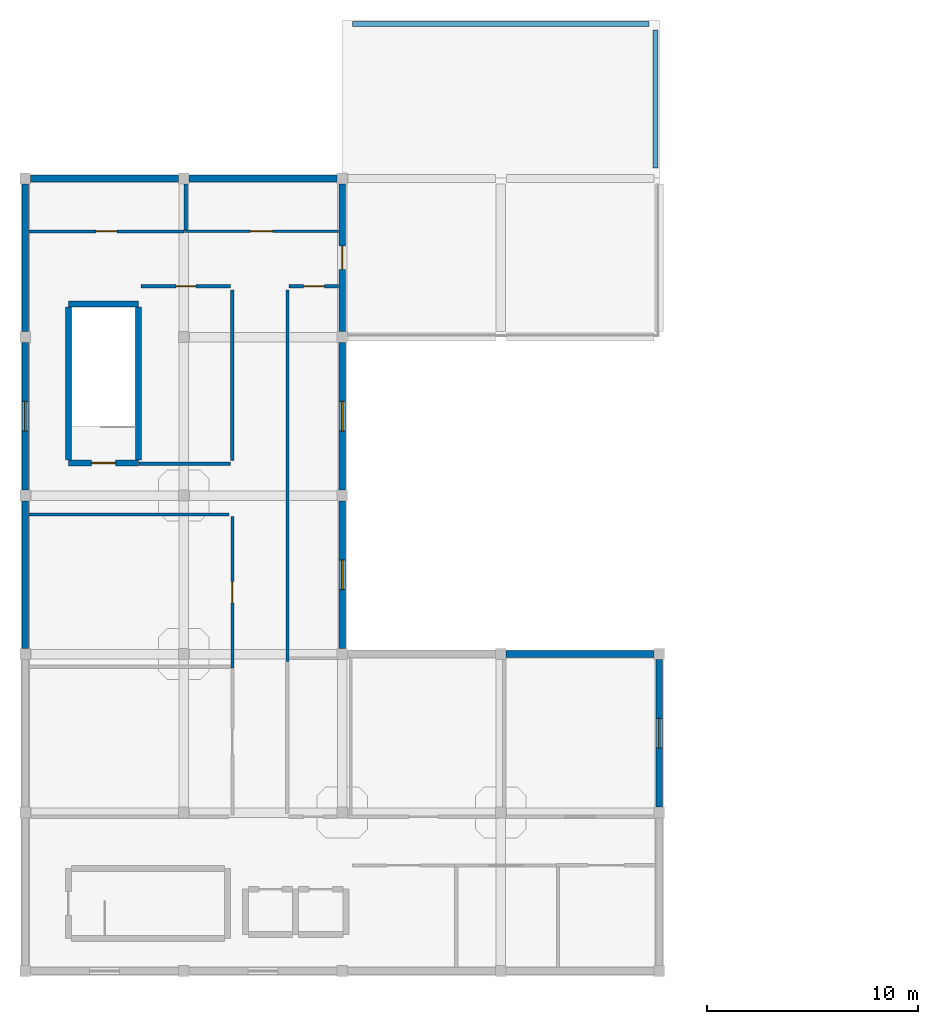
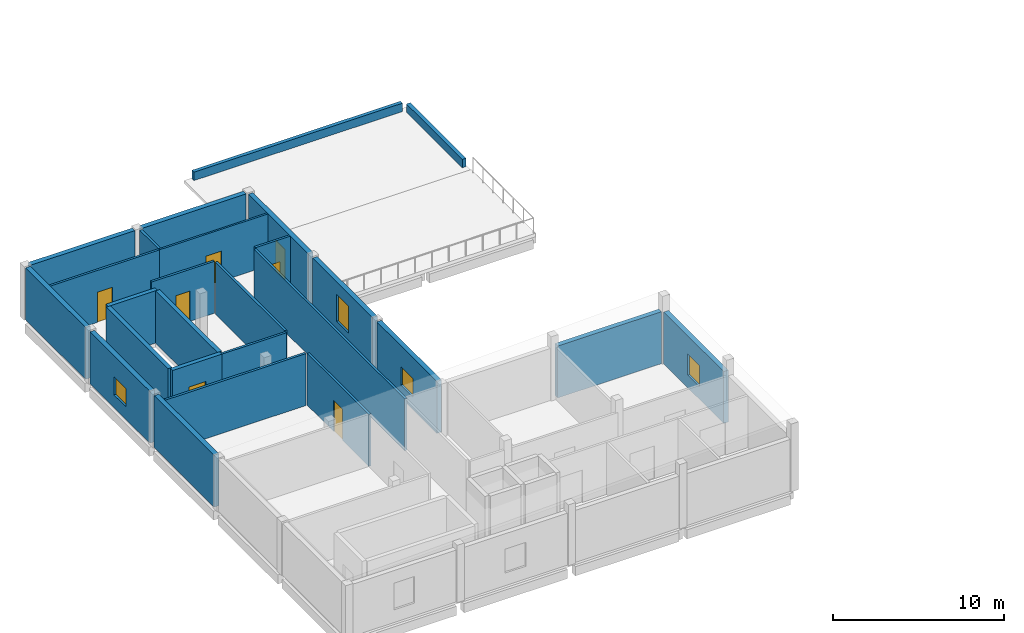
# One storey, part 4 of 8: 26 walls, 7 doors, 4 windows, 11 openings.
"""IFC4 building model written with IfcOpenShell, lengths in metres."""

from ifc_helpers import new_model, si_unit, direction, frame, frame_2d, origin, place, context, subcontext, project, spatial, rectangle, extrude, material, layer, layer_set, type_object, element, fill, save


model = new_model("IFC4")

# Units and contexts
model_context = context("Model", 3, precision=1e-05, world=origin(), true_north=direction((0.0, 1.0)))
body_context = subcontext(model_context, "Body", "Model", "MODEL_VIEW")
ifc_project = project(units=[si_unit("LENGTHUNIT", "METRE"), si_unit("AREAUNIT", "SQUARE_METRE"), si_unit("VOLUMEUNIT", "CUBIC_METRE"), si_unit("PLANEANGLEUNIT", "RADIAN"), si_unit("MASSUNIT", "GRAM", prefix="KILO")], contexts=[model_context])

# Site, building, storey
site_placement = place(None, origin())
site = spatial("IfcSite", under=ifc_project, at=site_placement, CompositionType="ELEMENT")
building_placement = place(site_placement, origin())
building = spatial("IfcBuilding", under=site, at=building_placement, Name="Mawjan Specialist Oncology Clinic", CompositionType="ELEMENT")
storey_placement = place(building_placement, frame((0.0, 0.0, 21.5)))
storey = spatial("IfcBuildingStorey", under=building, at=storey_placement, Name="L05", CompositionType="ELEMENT", Elevation=21.5)

# Wall, opening, door
ifc_material_1 = material(Name="Precast concrete C40/50", Category="concrete")
ifc_layer_1 = layer(ifc_material_1, 0.320068359375, Name="Precast concrete C40/50", Category="concrete")
ifc_layer_set_1 = layer_set([ifc_layer_1], Name="Precast concrete C40/50")
wall_type_1 = type_object("IfcWallType", Name="EW-320", PredefinedType="SOLIDWALL", material=ifc_layer_set_1)
wall_1_placement = place(storey_placement, frame((15.0, 38.050048828125, 0.0), z_axis=(0.0, 0.0, 1.0), x_axis=(0.0, -1.0, 0.0)))
wall_1 = element("IfcWall", 1, at=wall_1_placement, inside=storey, type_object=wall_type_1, Name="L05 Coral-Limestone Exterior Wall EW-L05-376", PredefinedType="SOLIDWALL", context=body_context, shape_type="SweptSolid", body=[
    extrude(rectangle(XDim=7.0, YDim=0.320068359375, at=frame_2d((3.5, 0.0))), origin(), (0.0, 0.0, 1.0), 3.699951171875),
])
opening_1_placement = place(wall_1_placement, frame((2.949951171875, 0.0, 0.0)))
opening_1 = element("IfcOpeningElement", 2, at=opening_1_placement, cuts=wall_1, Name="Opening DT-110", PredefinedType="OPENING", context=body_context, shape_type="SweptSolid", body=[
    extrude(rectangle(XDim=1.10009765625, YDim=2.14990234375, at=frame_2d((0.550048828125, 1.074951171875))), frame((0.0, 0.172119140625, 0.0), z_axis=(0.0, -1.0, 0.0), x_axis=(1.0, 0.0, 0.0)), (0.0, 0.0, 1.0), 0.343994140625),
])
ifc_material_2 = material(Name="Insulated marine-grade aluminium entrance assembly", Category="aluminium")
door_type_1 = type_object("IfcDoorType", Name="DT-110", OperationType="NOTDEFINED", PredefinedType="DOOR", material=ifc_material_2)
door_1_placement = place(opening_1_placement, origin())
door_1 = element("IfcDoor", 3, at=door_1_placement, inside=storey, type_object=door_type_1, Name="L05 Healing Terrace Access Door 7", OperationType="SINGLE_SWING_RIGHT", OverallHeight=2.14990234375, OverallWidth=1.10009765625, PredefinedType="DOOR", context=body_context, shape_type="SweptSolid", body=[
    extrude(rectangle(XDim=1.10009765625, YDim=2.14990234375, at=frame_2d((0.550048828125, 1.074951171875))), frame((0.0, 0.02490234375, 0.0), z_axis=(0.0, -1.0, 0.0), x_axis=(1.0, 0.0, 0.0)), (0.0, 0.0, 1.0), 0.050048828125),
])
fill(opening_1, door_1)

# Wall, opening, window
wall_2_placement = place(storey_placement, frame((15.0, 30.550048828125, 0.0), z_axis=(0.0, 0.0, 1.0), x_axis=(0.0, -1.0, 0.0)))
wall_2 = element("IfcWall", 4, at=wall_2_placement, inside=storey, type_object=wall_type_1, Name="L05 Coral-Limestone Exterior Wall EW-L05-377", PredefinedType="SOLIDWALL", context=body_context, shape_type="SweptSolid", body=[
    extrude(rectangle(XDim=7.0, YDim=0.320068359375, at=frame_2d((3.5, 0.0))), origin(), (0.0, 0.0, 1.0), 3.699951171875),
])
opening_2_placement = place(wall_2_placement, frame((2.800048828125, 0.0, 0.89990234375)))
opening_2 = element("IfcOpeningElement", 5, at=opening_2_placement, cuts=wall_2, Name="Opening WN-16", PredefinedType="OPENING", context=body_context, shape_type="SweptSolid", body=[
    extrude(rectangle(XDim=1.39990234375, YDim=1.89990234375, at=frame_2d((0.699951171875, 0.949951171875))), frame((0.0, 0.172119140625, 0.0), z_axis=(0.0, -1.0, 0.0), x_axis=(1.0, 0.0, 0.0)), (0.0, 0.0, 1.0), 0.343994140625),
])
ifc_material_3 = material(Name="Thermally broken low-E clinical aluminium window", Category="aluminium")
window_type_1 = type_object("IfcWindowType", Name="WN-16", PartitioningType="SINGLE_PANEL", PredefinedType="WINDOW", material=ifc_material_3)
window_1_placement = place(opening_2_placement, origin())
window_1 = element("IfcWindow", 6, at=window_1_placement, inside=storey, type_object=window_type_1, Name="L05 Clinical Low-E Window 080", OverallHeight=1.89990234375, OverallWidth=1.39990234375, PartitioningType="SINGLE_PANEL", PredefinedType="WINDOW", context=body_context, shape_type="SweptSolid", body=[
    extrude(rectangle(XDim=1.39990234375, YDim=1.89990234375, at=frame_2d((0.699951171875, 0.949951171875))), frame((0.0, 0.030029296875, 0.0), z_axis=(0.0, -1.0, 0.0), x_axis=(1.0, 0.0, 0.0)), (0.0, 0.0, 1.0), 0.06005859375),
])
fill(opening_2, window_1)

wall_3_placement = place(storey_placement, frame((15.0, 23.050048828125, 0.0), z_axis=(0.0, 0.0, 1.0), x_axis=(0.0, -1.0, 0.0)))
wall_3 = element("IfcWall", 7, at=wall_3_placement, inside=storey, type_object=wall_type_1, Name="L05 Coral-Limestone Exterior Wall EW-L05-378", PredefinedType="SOLIDWALL", context=body_context, shape_type="SweptSolid", body=[
    extrude(rectangle(XDim=7.0, YDim=0.320068359375, at=frame_2d((3.5, 0.0))), origin(), (0.0, 0.0, 1.0), 3.699951171875),
])
opening_3_placement = place(wall_3_placement, frame((2.800048828125, 0.0, 0.89990234375)))
opening_3 = element("IfcOpeningElement", 8, at=opening_3_placement, cuts=wall_3, Name="Opening WN-13", PredefinedType="OPENING", context=body_context, shape_type="SweptSolid", body=[
    extrude(rectangle(XDim=1.39990234375, YDim=1.300048828125, at=frame_2d((0.699951171875, 0.64990234375))), frame((0.0, 0.172119140625, 0.0), z_axis=(0.0, -1.0, 0.0), x_axis=(1.0, 0.0, 0.0)), (0.0, 0.0, 1.0), 0.343994140625),
])
ifc_material_4 = material(Name="Thermally broken low-E clinical aluminium window", Category="aluminium")
window_type_2 = type_object("IfcWindowType", Name="WN-13", PartitioningType="SINGLE_PANEL", PredefinedType="WINDOW", material=ifc_material_4)
window_2_placement = place(opening_3_placement, origin())
window_2 = element("IfcWindow", 9, at=window_2_placement, inside=storey, type_object=window_type_2, Name="L05 Clinical Low-E Window 081", OverallHeight=1.300048828125, OverallWidth=1.39990234375, PartitioningType="SINGLE_PANEL", PredefinedType="WINDOW", context=body_context, shape_type="SweptSolid", body=[
    extrude(rectangle(XDim=1.39990234375, YDim=1.300048828125, at=frame_2d((0.699951171875, 0.64990234375))), frame((0.0, 0.030029296875, 0.0), z_axis=(0.0, -1.0, 0.0), x_axis=(1.0, 0.0, 0.0)), (0.0, 0.0, 1.0), 0.06005859375),
])
fill(opening_3, window_2)

# Wall
wall_4_placement = place(storey_placement, frame((22.75, 15.800048828125, 0.0), z_axis=(0.0, 0.0, 1.0), x_axis=(1.0, 0.0, 0.0)))
element("IfcWall", 10, at=wall_4_placement, inside=storey, type_object=wall_type_1, Name="L05 Coral-Limestone Exterior Wall EW-L05-380", PredefinedType="SOLIDWALL", context=body_context, shape_type="SweptSolid", body=[
    extrude(rectangle(XDim=7.0, YDim=0.320068359375, at=frame_2d((3.5, 0.0))), origin(), (0.0, 0.0, 1.0), 3.699951171875),
])

# Wall, opening, window
wall_5_placement = place(storey_placement, frame((30.0, 15.550048828125, 0.0), z_axis=(0.0, 0.0, 1.0), x_axis=(0.0, -1.0, 0.0)))
wall_5 = element("IfcWall", 11, at=wall_5_placement, inside=storey, type_object=wall_type_1, Name="L05 Coral-Limestone Exterior Wall EW-L05-381", PredefinedType="SOLIDWALL", context=body_context, shape_type="SweptSolid", body=[
    extrude(rectangle(XDim=7.0, YDim=0.320068359375, at=frame_2d((3.5, 0.0))), origin(), (0.0, 0.0, 1.0), 3.699951171875),
])
opening_4_placement = place(wall_5_placement, frame((2.800048828125, 0.0, 0.89990234375)))
opening_4 = element("IfcOpeningElement", 12, at=opening_4_placement, cuts=wall_5, Name="Opening WN-14", PredefinedType="OPENING", context=body_context, shape_type="SweptSolid", body=[
    extrude(rectangle(XDim=1.39990234375, YDim=1.5, at=frame_2d((0.699951171875, 0.75))), frame((0.0, 0.172119140625, 0.0), z_axis=(0.0, -1.0, 0.0), x_axis=(1.0, 0.0, 0.0)), (0.0, 0.0, 1.0), 0.343994140625),
])
ifc_material_5 = material(Name="Thermally broken low-E clinical aluminium window", Category="aluminium")
window_type_3 = type_object("IfcWindowType", Name="WN-14", PartitioningType="SINGLE_PANEL", PredefinedType="WINDOW", material=ifc_material_5)
window_3_placement = place(opening_4_placement, origin())
window_3 = element("IfcWindow", 13, at=window_3_placement, inside=storey, type_object=window_type_3, Name="L05 Clinical Low-E Window 082", OverallHeight=1.5, OverallWidth=1.39990234375, PartitioningType="SINGLE_PANEL", PredefinedType="WINDOW", context=body_context, shape_type="SweptSolid", body=[
    extrude(rectangle(XDim=1.39990234375, YDim=1.5, at=frame_2d((0.699951171875, 0.75))), frame((0.0, 0.030029296875, 0.0), z_axis=(0.0, -1.0, 0.0), x_axis=(1.0, 0.0, 0.0)), (0.0, 0.0, 1.0), 0.06005859375),
])
fill(opening_4, window_3)

# Wall
wall_6_placement = place(storey_placement, frame((0.0, 16.050048828125, 0.0), z_axis=(0.0, 0.0, 1.0), x_axis=(0.0, 1.0, 0.0)))
element("IfcWall", 14, at=wall_6_placement, inside=storey, type_object=wall_type_1, Name="L05 Coral-Limestone Exterior Wall EW-L05-389", PredefinedType="SOLIDWALL", context=body_context, shape_type="SweptSolid", body=[
    extrude(rectangle(XDim=7.0, YDim=0.320068359375, at=frame_2d((3.5, 0.0))), origin(), (0.0, 0.0, 1.0), 3.699951171875),
])

# Wall, opening, window
wall_7_placement = place(storey_placement, frame((0.0, 23.550048828125, 0.0), z_axis=(0.0, 0.0, 1.0), x_axis=(0.0, 1.0, 0.0)))
wall_7 = element("IfcWall", 15, at=wall_7_placement, inside=storey, type_object=wall_type_1, Name="L05 Coral-Limestone Exterior Wall EW-L05-390", PredefinedType="SOLIDWALL", context=body_context, shape_type="SweptSolid", body=[
    extrude(rectangle(XDim=7.0, YDim=0.320068359375, at=frame_2d((3.5, 0.0))), origin(), (0.0, 0.0, 1.0), 3.699951171875),
])
opening_5_placement = place(wall_7_placement, frame((2.800048828125, 0.0, 0.89990234375)))
opening_5 = element("IfcOpeningElement", 16, at=opening_5_placement, cuts=wall_7, Name="Opening WN-13", PredefinedType="OPENING", context=body_context, shape_type="SweptSolid", body=[
    extrude(rectangle(XDim=1.39990234375, YDim=1.300048828125, at=frame_2d((0.699951171875, 0.64990234375))), frame((0.0, 0.172119140625, 0.0), z_axis=(0.0, -1.0, 0.0), x_axis=(1.0, 0.0, 0.0)), (0.0, 0.0, 1.0), 0.343994140625),
])
window_4_placement = place(opening_5_placement, origin())
window_4 = element("IfcWindow", 17, at=window_4_placement, inside=storey, type_object=window_type_2, Name="L05 Clinical Low-E Window 085", OverallHeight=1.300048828125, OverallWidth=1.39990234375, PartitioningType="SINGLE_PANEL", PredefinedType="WINDOW", context=body_context, shape_type="SweptSolid", body=[
    extrude(rectangle(XDim=1.39990234375, YDim=1.300048828125, at=frame_2d((0.699951171875, 0.64990234375))), frame((0.0, 0.030029296875, 0.0), z_axis=(0.0, -1.0, 0.0), x_axis=(1.0, 0.0, 0.0)), (0.0, 0.0, 1.0), 0.06005859375),
])
fill(opening_5, window_4)

# Walls
for number, where, z_axis, x_axis, name in (
    (18, (0.0, 31.050048828125, 0.0), (0.0, 0.0, 1.0), (0.0, 1.0, 0.0), "L05 Coral-Limestone Exterior Wall EW-L05-391"),
    (19, (0.25, 38.300048828125, 0.0), (0.0, 0.0, 1.0), (1.0, 0.0, 0.0), "L05 Coral-Limestone Exterior Wall EW-L05-392"),
    (20, (7.75, 38.300048828125, 0.0), (0.0, 0.0, 1.0), (1.0, 0.0, 0.0), "L05 Coral-Limestone Exterior Wall EW-L05-393"),
):
    element("IfcWall", number, at=place(storey_placement, frame(where, z_axis=z_axis, x_axis=x_axis)), inside=storey, type_object=wall_type_1, Name=name, PredefinedType="SOLIDWALL", context=body_context, shape_type="SweptSolid", body=[
        extrude(rectangle(XDim=7.0, YDim=0.320068359375, at=frame_2d((3.5, 0.0))), origin(), (0.0, 0.0, 1.0), 3.699951171875),
    ])
ifc_material_6 = material(Name="Precast concrete C40/50", Category="concrete")
ifc_layer_2 = layer(ifc_material_6, 0.239990234375, Name="Precast concrete C40/50", Category="concrete")
ifc_layer_set_2 = layer_set([ifc_layer_2], Name="Precast concrete C40/50")
wall_type_2 = type_object("IfcWallType", Name="PAR-240", PredefinedType="PARAPET", material=ifc_layer_set_2)
wall_8_placement = place(storey_placement, frame((15.47998046875, 45.6201171875, -0.080078125), z_axis=(0.0, 0.0, 1.0), x_axis=(1.0, 0.0, 0.0)))
element("IfcWall", 21, at=wall_8_placement, inside=storey, type_object=wall_type_2, Name="L05 Roof Parapet Upstand 28", PredefinedType="PARAPET", context=body_context, shape_type="SweptSolid", body=[
    extrude(rectangle(XDim=14.0400390625, YDim=0.239990234375, at=frame_2d((7.02001953125, 0.0))), origin(), (0.0, 0.0, 1.0), 0.60009765625),
])
ifc_material_7 = material(Name="Precast concrete C40/50", Category="concrete")
ifc_layer_3 = layer(ifc_material_7, 0.260009765625, Name="Precast concrete C40/50", Category="concrete")
ifc_layer_set_3 = layer_set([ifc_layer_3], Name="Precast concrete C40/50")
wall_type_3 = type_object("IfcWallType", Name="PAR-260", PredefinedType="PARAPET", material=ifc_layer_set_3)
wall_9_placement = place(storey_placement, frame((29.820068359375, 45.320068359375, -0.080078125), z_axis=(0.0, 0.0, 1.0), x_axis=(0.0, -1.0, 0.0)))
element("IfcWall", 22, at=wall_9_placement, inside=storey, type_object=wall_type_3, Name="L05 Roof Parapet Upstand 29", PredefinedType="PARAPET", context=body_context, shape_type="SweptSolid", body=[
    extrude(rectangle(XDim=6.52001953125, YDim=0.260009765625, at=frame_2d((3.260009765625, 0.0))), origin(), (0.0, 0.0, 1.0), 0.60009765625),
])
ifc_material_8 = material(Name="Concrete C45/55", Category="concrete")
ifc_layer_4 = layer(ifc_material_8, 0.280029296875, Name="Concrete C45/55", Category="concrete")
ifc_layer_set_4 = layer_set([ifc_layer_4], Name="Concrete C45/55")
wall_type_4 = type_object("IfcWallType", Name="SW-300", PredefinedType="SHEAR", material=ifc_layer_set_4)
wall_10_placement = place(storey_placement, frame((5.360107421875, 24.985107421875, 0.0), z_axis=(0.0, 0.0, 1.0), x_axis=(0.0, 1.0, 0.0)))
element("IfcWall", 23, at=wall_10_placement, inside=storey, type_object=wall_type_4, Name="L05 Core K2 Stair Shear Wall 1", PredefinedType="SHEAR", context=body_context, shape_type="SweptSolid", body=[
    extrude(rectangle(XDim=7.22998046875, YDim=0.280029296875, at=frame_2d((3.614990234375, 0.0))), origin(), (0.0, 0.0, 1.0), 3.719970703125),
])
wall_11_placement = place(storey_placement, frame((5.360107421875, 32.360107421875, 0.0), z_axis=(0.0, 0.0, 1.0), x_axis=(-1.0, 0.0, 0.0)))
element("IfcWall", 24, at=wall_11_placement, inside=storey, type_object=wall_type_4, Name="L05 Core K2 Stair Shear Wall 2", PredefinedType="SHEAR", context=body_context, shape_type="SweptSolid", body=[
    extrude(rectangle(XDim=3.320068359375, YDim=0.280029296875, at=frame_2d((1.66015625, 0.0))), origin(), (0.0, 0.0, 1.0), 3.719970703125),
])
wall_12_placement = place(storey_placement, frame((2.0400390625, 32.215087890625, 0.0), z_axis=(0.0, 0.0, 1.0), x_axis=(0.0, -1.0, 0.0)))
element("IfcWall", 25, at=wall_12_placement, inside=storey, type_object=wall_type_4, Name="L05 Core K2 Stair Shear Wall 3", PredefinedType="SHEAR", context=body_context, shape_type="SweptSolid", body=[
    extrude(rectangle(XDim=7.22998046875, YDim=0.280029296875, at=frame_2d((3.614990234375, 0.0))), origin(), (0.0, 0.0, 1.0), 3.719970703125),
])

# Wall, opening, door
wall_13_placement = place(storey_placement, frame((2.0400390625, 24.840087890625, 0.0), z_axis=(0.0, 0.0, 1.0), x_axis=(1.0, 0.0, 0.0)))
wall_13 = element("IfcWall", 26, at=wall_13_placement, inside=storey, type_object=wall_type_4, Name="L05 Core K2 Stair Shear Wall 4", PredefinedType="SHEAR", context=body_context, shape_type="SweptSolid", body=[
    extrude(rectangle(XDim=3.320068359375, YDim=0.280029296875, at=frame_2d((1.66015625, 0.0))), origin(), (0.0, 0.0, 1.0), 3.719970703125),
])
opening_6_placement = place(wall_13_placement, frame((1.0849609375, 0.0, 0.0)))
opening_6 = element("IfcOpeningElement", 27, at=opening_6_placement, cuts=wall_13, Name="Opening FD-90", PredefinedType="OPENING", context=body_context, shape_type="SweptSolid", body=[
    extrude(rectangle(XDim=1.14990234375, YDim=2.14990234375, at=frame_2d((0.574951171875, 1.074951171875))), frame((0.0, 0.152099609375, 0.0), z_axis=(0.0, -1.0, 0.0), x_axis=(1.0, 0.0, 0.0)), (0.0, 0.0, 1.0), 0.303955078125),
])
ifc_material_9 = material(Name="Stainless-steel fire-rated hospital door", Category="steel")
door_type_2 = type_object("IfcDoorType", Name="FD-90", OperationType="NOTDEFINED", PredefinedType="DOOR", material=ifc_material_9)
door_2_placement = place(opening_6_placement, origin())
door_2 = element("IfcDoor", 28, at=door_2_placement, inside=storey, type_object=door_type_2, Name="L05 ST-02 Fire Exit Stair Door", OperationType="SINGLE_SWING_RIGHT", OverallHeight=2.14990234375, OverallWidth=1.14990234375, PredefinedType="DOOR", context=body_context, shape_type="SweptSolid", body=[
    extrude(rectangle(XDim=1.14990234375, YDim=2.14990234375, at=frame_2d((0.574951171875, 1.074951171875))), frame((0.0, 0.02490234375, 0.0), z_axis=(0.0, -1.0, 0.0), x_axis=(1.0, 0.0, 0.0)), (0.0, 0.0, 1.0), 0.050048828125),
])
fill(opening_6, door_2)

ifc_material_10 = material(Name="Moisture-resistant washroom partition", Category="gypsum")
ifc_layer_5 = layer(ifc_material_10, 0.125, Name="Moisture-resistant washroom partition", Category="gypsum")
ifc_layer_set_5 = layer_set([ifc_layer_5], Name="Moisture-resistant washroom partition")
wall_type_5 = type_object("IfcWallType", Name="WP-125", PredefinedType="PARTITIONING", material=ifc_layer_set_5)
wall_14_placement = place(storey_placement, frame((7.527099609375, 35.800048828125, 0.0), z_axis=(0.0, 0.0, 1.0), x_axis=(1.0, 0.0, 0.0)))
wall_14 = element("IfcWall", 29, at=wall_14_placement, inside=storey, type_object=wall_type_5, Name="L05 Interior Partition W-INT-L05-505-C", PredefinedType="PARTITIONING", context=body_context, shape_type="SweptSolid", body=[
    extrude(rectangle(XDim=7.30078125, YDim=0.125, at=frame_2d((3.650390625, 0.0))), origin(), (0.0, 0.0, 1.0), 3.699951171875),
])
opening_7_placement = place(wall_14_placement, frame((3.12548828125, 0.0, 0.0)))
opening_7 = element("IfcOpeningElement", 30, at=opening_7_placement, cuts=wall_14, Name="Opening DI-105", PredefinedType="OPENING", context=body_context, shape_type="SweptSolid", body=[
    extrude(rectangle(XDim=1.050048828125, YDim=2.14990234375, at=frame_2d((0.52490234375, 1.074951171875))), frame((0.0, 0.074462890625, 0.0), z_axis=(0.0, -1.0, 0.0), x_axis=(1.0, 0.0, 0.0)), (0.0, 0.0, 1.0), 0.14892578125),
])
ifc_material_11 = material(Name="Acoustic laminate hospital door leaf", Category="wood")
door_type_3 = type_object("IfcDoorType", Name="DI-105", OperationType="NOTDEFINED", PredefinedType="DOOR", material=ifc_material_11)
door_3_placement = place(opening_7_placement, origin())
door_3 = element("IfcDoor", 31, at=door_3_placement, inside=storey, type_object=door_type_3, Name="L05 Clean Clinical Supply Room Door", OperationType="SINGLE_SWING_RIGHT", OverallHeight=2.14990234375, OverallWidth=1.050048828125, PredefinedType="DOOR", context=body_context, shape_type="SweptSolid", body=[
    extrude(rectangle(XDim=1.050048828125, YDim=2.14990234375, at=frame_2d((0.52490234375, 1.074951171875))), frame((0.0, 0.02490234375, 0.0), z_axis=(0.0, -1.0, 0.0), x_axis=(1.0, 0.0, 0.0)), (0.0, 0.0, 1.0), 0.050048828125),
])
fill(opening_7, door_3)

ifc_material_12 = material(Name="Acoustic gypsum clinical partition", Category="gypsum")
ifc_layer_6 = layer(ifc_material_12, 0.14990234375, Name="Acoustic gypsum clinical partition", Category="gypsum")
ifc_layer_set_6 = layer_set([ifc_layer_6], Name="Acoustic gypsum clinical partition")
wall_type_6 = type_object("IfcWallType", Name="WP-150", PredefinedType="PARTITIONING", material=ifc_layer_set_6)
wall_15_placement = place(storey_placement, frame((0.172119140625, 35.800048828125, 0.0), z_axis=(0.0, 0.0, 1.0), x_axis=(1.0, 0.0, 0.0)))
wall_15 = element("IfcWall", 32, at=wall_15_placement, inside=storey, type_object=wall_type_6, Name="L05 Interior Partition W-INT-L05-504-C", PredefinedType="PARTITIONING", context=body_context, shape_type="SweptSolid", body=[
    extrude(rectangle(XDim=7.3427734375, YDim=0.14990234375, at=frame_2d((3.67138671875, 0.0))), origin(), (0.0, 0.0, 1.0), 3.699951171875),
])
opening_8_placement = place(wall_15_placement, frame((3.17138671875, 0.0, 0.0)))
opening_8 = element("IfcOpeningElement", 33, at=opening_8_placement, cuts=wall_15, Name="Opening DI-100", PredefinedType="OPENING", context=body_context, shape_type="SweptSolid", body=[
    extrude(rectangle(XDim=1.0, YDim=2.14990234375, at=frame_2d((0.5, 1.074951171875))), frame((0.0, 0.0869140625, 0.0), z_axis=(0.0, -1.0, 0.0), x_axis=(1.0, 0.0, 0.0)), (0.0, 0.0, 1.0), 0.173828125),
])
ifc_material_13 = material(Name="Acoustic laminate hospital door leaf", Category="wood")
door_type_4 = type_object("IfcDoorType", Name="DI-100", OperationType="NOTDEFINED", PredefinedType="DOOR", material=ifc_material_13)
door_4_placement = place(opening_8_placement, origin())
door_4 = element("IfcDoor", 34, at=door_4_placement, inside=storey, type_object=door_type_4, Name="L05 Immunotherapy Outpatient Clinic Door", OperationType="SINGLE_SWING_LEFT", OverallHeight=2.14990234375, OverallWidth=1.0, PredefinedType="DOOR", context=body_context, shape_type="SweptSolid", body=[
    extrude(rectangle(XDim=1.0, YDim=2.14990234375, at=frame_2d((0.5, 1.074951171875))), frame((0.0, 0.02490234375, 0.0), z_axis=(0.0, -1.0, 0.0), x_axis=(1.0, 0.0, 0.0)), (0.0, 0.0, 1.0), 0.050048828125),
])
fill(opening_8, door_4)

wall_16_placement = place(storey_placement, frame((9.800048828125, 15.126953125, 0.0), z_axis=(0.0, 0.0, 1.0), x_axis=(0.0, 1.0, 0.0)))
wall_16 = element("IfcWall", 35, at=wall_16_placement, inside=storey, type_object=wall_type_6, Name="L05 Interior Partition W-INT-L05-0532-V", PredefinedType="PARTITIONING", context=body_context, shape_type="SweptSolid", body=[
    extrude(rectangle(XDim=7.18798828125, YDim=0.14990234375, at=frame_2d((3.593994140625, 0.0))), origin(), (0.0, 0.0, 1.0), 3.699951171875),
])
opening_9_placement = place(wall_16_placement, frame((3.093994140625, 0.0, 0.0)))
opening_9 = element("IfcOpeningElement", 36, at=opening_9_placement, cuts=wall_16, Name="Opening DA-100", PredefinedType="OPENING", context=body_context, shape_type="SweptSolid", body=[
    extrude(rectangle(XDim=1.0, YDim=2.219970703125, at=frame_2d((0.5, 1.10986328125))), frame((0.0, 0.0869140625, 0.0), z_axis=(0.0, -1.0, 0.0), x_axis=(1.0, 0.0, 0.0)), (0.0, 0.0, 1.0), 0.173828125),
])
ifc_material_14 = material(Name="Acoustic laminate hospital door leaf", Category="wood")
door_type_5 = type_object("IfcDoorType", Name="DA-100", OperationType="NOTDEFINED", PredefinedType="DOOR", material=ifc_material_14)
door_5_placement = place(opening_9_placement, origin())
door_5 = element("IfcDoor", 37, at=door_5_placement, inside=storey, type_object=door_type_5, Name="L05 Clinical Assessment Suite Door", OperationType="SINGLE_SWING_RIGHT", OverallHeight=2.219970703125, OverallWidth=1.0, PredefinedType="DOOR", context=body_context, shape_type="SweptSolid", body=[
    extrude(rectangle(XDim=1.0, YDim=2.219970703125, at=frame_2d((0.5, 1.10986328125))), frame((0.0, 0.02490234375, 0.0), z_axis=(0.0, -1.0, 0.0), x_axis=(1.0, 0.0, 0.0)), (0.0, 0.0, 1.0), 0.050048828125),
])
fill(opening_9, door_5)

wall_17_placement = place(storey_placement, frame((5.485107421875, 33.199951171875, 0.0), z_axis=(0.0, 0.0, 1.0), x_axis=(1.0, 0.0, 0.0)))
wall_17 = element("IfcWall", 38, at=wall_17_placement, inside=storey, type_object=wall_type_6, Name="L05 Interior Partition W-INT-L05-0533-C", PredefinedType="PARTITIONING", context=body_context, shape_type="SweptSolid", body=[
    extrude(rectangle(XDim=4.22998046875, YDim=0.14990234375, at=frame_2d((2.114990234375, 0.0))), origin(), (0.0, 0.0, 1.0), 3.699951171875),
])
opening_10_placement = place(wall_17_placement, frame((1.639892578125, 0.0, 0.0)))
opening_10 = element("IfcOpeningElement", 39, at=opening_10_placement, cuts=wall_17, Name="Opening DA-95", PredefinedType="OPENING", context=body_context, shape_type="SweptSolid", body=[
    extrude(rectangle(XDim=0.949951171875, YDim=2.14990234375, at=frame_2d((0.47509765625, 1.074951171875))), frame((0.0, 0.0869140625, 0.0), z_axis=(0.0, -1.0, 0.0), x_axis=(1.0, 0.0, 0.0)), (0.0, 0.0, 1.0), 0.173828125),
])
ifc_material_15 = material(Name="Acoustic laminate hospital door leaf", Category="wood")
door_type_6 = type_object("IfcDoorType", Name="DA-95", OperationType="NOTDEFINED", PredefinedType="DOOR", material=ifc_material_15)
door_6_placement = place(opening_10_placement, origin())
door_6 = element("IfcDoor", 40, at=door_6_placement, inside=storey, type_object=door_type_6, Name="L05 Clinical Dietetics Consultation Room Door", OperationType="SINGLE_SWING_LEFT", OverallHeight=2.14990234375, OverallWidth=0.949951171875, PredefinedType="DOOR", context=body_context, shape_type="SweptSolid", body=[
    extrude(rectangle(XDim=0.949951171875, YDim=2.14990234375, at=frame_2d((0.47509765625, 1.074951171875))), frame((0.0, 0.02490234375, 0.0), z_axis=(0.0, -1.0, 0.0), x_axis=(1.0, 0.0, 0.0)), (0.0, 0.0, 1.0), 0.050048828125),
])
fill(opening_10, door_6)

wall_18_placement = place(storey_placement, frame((12.485107421875, 33.199951171875, 0.0), z_axis=(0.0, 0.0, 1.0), x_axis=(1.0, 0.0, 0.0)))
wall_18 = element("IfcWall", 41, at=wall_18_placement, inside=storey, type_object=wall_type_6, Name="L05 Interior Partition W-INT-L05-0541-C", PredefinedType="PARTITIONING", context=body_context, shape_type="SweptSolid", body=[
    extrude(rectangle(XDim=2.3427734375, YDim=0.14990234375, at=frame_2d((1.17138671875, 0.0))), origin(), (0.0, 0.0, 1.0), 3.699951171875),
])
opening_11_placement = place(wall_18_placement, frame((0.681396484375, 0.0, 0.0)))
opening_11 = element("IfcOpeningElement", 42, at=opening_11_placement, cuts=wall_18, Name="Opening DI-98", PredefinedType="OPENING", context=body_context, shape_type="SweptSolid", body=[
    extrude(rectangle(XDim=0.97998046875, YDim=2.1201171875, at=frame_2d((0.489990234375, 1.06005859375))), frame((0.0, 0.0869140625, 0.0), z_axis=(0.0, -1.0, 0.0), x_axis=(1.0, 0.0, 0.0)), (0.0, 0.0, 1.0), 0.173828125),
])
ifc_material_16 = material(Name="Acoustic laminate hospital door leaf", Category="wood")
door_type_7 = type_object("IfcDoorType", Name="DI-98", OperationType="NOTDEFINED", PredefinedType="DOOR", material=ifc_material_16)
door_7_placement = place(opening_11_placement, origin())
door_7 = element("IfcDoor", 43, at=door_7_placement, inside=storey, type_object=door_type_7, Name="L05 Clinical Case Conference Room Door", OperationType="SINGLE_SWING_LEFT", OverallHeight=2.1201171875, OverallWidth=0.97998046875, PredefinedType="DOOR", context=body_context, shape_type="SweptSolid", body=[
    extrude(rectangle(XDim=0.97998046875, YDim=2.1201171875, at=frame_2d((0.489990234375, 1.06005859375))), frame((0.0, 0.02490234375, 0.0), z_axis=(0.0, -1.0, 0.0), x_axis=(1.0, 0.0, 0.0)), (0.0, 0.0, 1.0), 0.050048828125),
])
fill(opening_11, door_7)

# Walls
wall_19_placement = place(storey_placement, frame((5.3720703125, 24.800048828125, 0.0), z_axis=(0.0, 0.0, 1.0), x_axis=(1.0, 0.0, 0.0)))
element("IfcWall", 44, at=wall_19_placement, inside=storey, type_object=wall_type_6, Name="L05 Interior Partition W-INT-L05-0533-R", PredefinedType="PARTITIONING", context=body_context, shape_type="SweptSolid", body=[
    extrude(rectangle(XDim=4.343017578125, YDim=0.14990234375, at=frame_2d((2.17138671875, 0.0))), origin(), (0.0, 0.0, 1.0), 3.699951171875),
])
wall_20_placement = place(storey_placement, frame((12.39990234375, 15.447021484375, 0.0), z_axis=(0.0, 0.0, 1.0), x_axis=(0.0, 1.0, 0.0)))
element("IfcWall", 45, at=wall_20_placement, inside=storey, type_object=wall_type_6, Name="L05 Interior Partition W-INT-L05-0541-D0", PredefinedType="PARTITIONING", context=body_context, shape_type="SweptSolid", body=[
    extrude(rectangle(XDim=17.587890625, YDim=0.14990234375, at=frame_2d((8.7939453125, 0.0))), origin(), (0.0, 0.0, 1.0), 3.699951171875),
])
ifc_material_17 = material(Name="Acoustic clinical twin-stud partition", Category="gypsum")
ifc_layer_7 = layer(ifc_material_17, 0.159912109375, Name="Acoustic clinical twin-stud partition", Category="gypsum")
ifc_layer_set_7 = layer_set([ifc_layer_7], Name="Acoustic clinical twin-stud partition")
wall_type_7 = type_object("IfcWallType", Name="WP-160", PredefinedType="PARTITIONING", material=ifc_layer_set_7)
wall_21_placement = place(storey_placement, frame((7.60009765625, 35.87451171875, 0.0), z_axis=(0.0, 0.0, 1.0), x_axis=(0.0, 1.0, 0.0)))
element("IfcWall", 46, at=wall_21_placement, inside=storey, type_object=wall_type_7, Name="L05 Interior Partition W-INT-L05-504-D", PredefinedType="PARTITIONING", context=body_context, shape_type="SweptSolid", body=[
    extrude(rectangle(XDim=2.16357421875, YDim=0.159912109375, at=frame_2d((1.081787109375, 0.0))), origin(), (0.0, 0.0, 1.0), 3.699951171875),
])
wall_22_placement = place(storey_placement, frame((0.172119140625, 22.39990234375, 0.0), z_axis=(0.0, 0.0, 1.0), x_axis=(1.0, 0.0, 0.0)))
element("IfcWall", 47, at=wall_22_placement, inside=storey, type_object=wall_type_7, Name="L05 Interior Partition W-INT-L05-0532-H", PredefinedType="PARTITIONING", context=body_context, shape_type="SweptSolid", body=[
    extrude(rectangle(XDim=9.462890625, YDim=0.159912109375, at=frame_2d((4.7314453125, 0.0))), origin(), (0.0, 0.0, 1.0), 3.699951171875),
])
wall_23_placement = place(storey_placement, frame((9.800048828125, 24.965087890625, 0.0), z_axis=(0.0, 0.0, 1.0), x_axis=(0.0, 1.0, 0.0)))
element("IfcWall", 48, at=wall_23_placement, inside=storey, type_object=wall_type_7, Name="L05 Interior Partition W-INT-L05-0533-D", PredefinedType="PARTITIONING", context=body_context, shape_type="SweptSolid", body=[
    extrude(rectangle(XDim=8.06982421875, YDim=0.159912109375, at=frame_2d((4.034912109375, 0.0))), origin(), (0.0, 0.0, 1.0), 3.699951171875),
])

save(model, "model.ifc")
